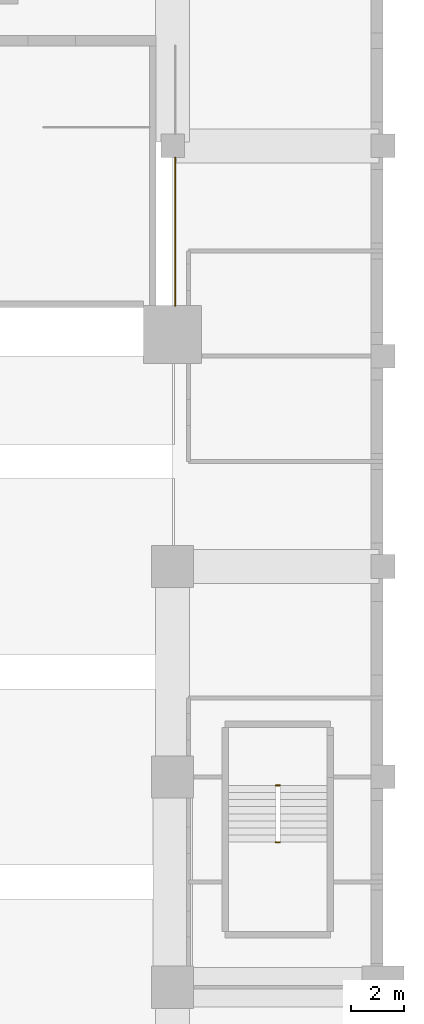
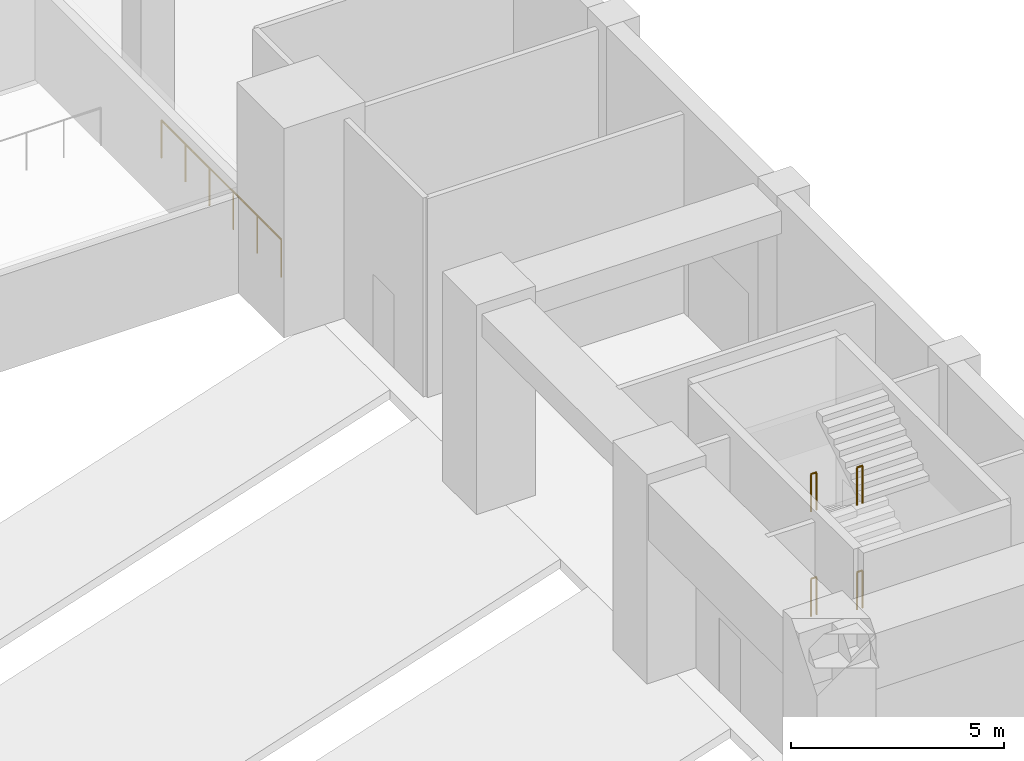
# One storey, part 20 of 28: 5 railings.
"""IFC4 building model written with IfcOpenShell, lengths in metres."""

import ifcopenshell
import ifcopenshell.guid

model = None  # the IFC model being written
_history = None  # IfcOwnerHistory: only IFC2X3 demands one
_inside = {}  # id of a spatial element -> (the spatial element, [elements in it])
_under = {}  # id of a project, library or spatial element -> (it, [spatial elements below it])
_declared = {}  # id of a project -> (the project, [libraries it declares])
_typed = {}  # id of a type object -> (the type object, [elements of that type])
_made_of = {}  # id of a material, layer set ... -> (it, [elements and type objects made of it])


def new_model(schema):
    """Start an empty IFC model of exactly this schema.

    Asked for "IFC4X3", IfcOpenShell would pick the latest addendum, in which some entities
    have other attributes; the version numbers below select the first issue.
    IFC2X3 requires an IfcOwnerHistory on every rooted entity: one is made here for all.
    """
    global model, _history
    if schema == "IFC4X3":
        model = ifcopenshell.file(schema_version=(4, 3, 0, 0))
    else:
        model = ifcopenshell.file(schema=schema)
    _inside.clear()
    _under.clear()
    _declared.clear()
    _typed.clear()
    _made_of.clear()
    _history = None
    if model.schema == "IFC2X3":
        org = make("IfcOrganization", Name="unknown")
        user = make(
            "IfcPersonAndOrganization",
            ThePerson=make("IfcPerson", FamilyName="unknown"),
            TheOrganization=org,
        )
        app = make(
            "IfcApplication",
            ApplicationDeveloper=org,
            Version="unknown",
            ApplicationFullName="unknown",
            ApplicationIdentifier="unknown",
        )
        _history = make(
            "IfcOwnerHistory",
            OwningUser=user,
            OwningApplication=app,
            ChangeAction="ADDED",
            CreationDate=0,
        )
    return model


def make(cls, **values):
    """One entity of the class cls with the attributes given. An attribute that is None is left unset."""
    return model.create_entity(
        cls, **{name: value for name, value in values.items() if value is not None}
    )


def rooted(cls, **values):
    """An entity with a GlobalId (a new one), such as an element, a storey or a relation."""
    return make(cls, GlobalId=ifcopenshell.guid.new(), OwnerHistory=_history, **values)


def si_unit(unit_type, name, prefix=None):
    """IfcSIUnit, for example si_unit("LENGTHUNIT", "METRE", prefix="MILLI")."""
    return make("IfcSIUnit", UnitType=unit_type, Prefix=prefix, Name=name)


def assignment(units):
    """IfcUnitAssignment: the units of a project."""
    return None if units is None else make("IfcUnitAssignment", Units=units)


def point(xyz):
    """IfcCartesianPoint."""
    return None if xyz is None else make("IfcCartesianPoint", Coordinates=xyz)


def direction(xyz):
    """IfcDirection."""
    return None if xyz is None else make("IfcDirection", DirectionRatios=xyz)


def frame(location, z_axis=None, x_axis=None):
    """IfcAxis2Placement3D, a coordinate frame: its origin and axes. An axis left out is left unset."""
    return make(
        "IfcAxis2Placement3D",
        Location=point(location),
        Axis=direction(z_axis),
        RefDirection=direction(x_axis),
    )


def frame_2d(location, x_axis=None):
    """IfcAxis2Placement2D, a coordinate frame in the plane: its origin and x axis."""
    return make(
        "IfcAxis2Placement2D", Location=point(location), RefDirection=direction(x_axis)
    )


def origin():
    """The frame at (0, 0, 0) with its axes left unset."""
    return frame((0.0, 0.0, 0.0))


def origin_2d():
    """The frame at (0, 0) in the plane with its x axis left unset."""
    return frame_2d((0.0, 0.0))


def place(relative_to, where):
    """IfcLocalPlacement: puts the frame where relative to a parent placement (None: the world)."""
    return make(
        "IfcLocalPlacement", PlacementRelTo=relative_to, RelativePlacement=where
    )


def context(
    kind, dimensions, precision=None, world=None, true_north=None, identifier=None
):
    """IfcGeometricRepresentationContext, for example the 3D "Model" context."""
    return make(
        "IfcGeometricRepresentationContext",
        ContextIdentifier=identifier,
        ContextType=kind,
        CoordinateSpaceDimension=dimensions,
        Precision=precision,
        WorldCoordinateSystem=world,
        TrueNorth=true_north,
    )


def subcontext(parent, identifier, kind, view, scale=None):
    """IfcGeometricRepresentationSubContext, for example "Body" below "Model"."""
    return make(
        "IfcGeometricRepresentationSubContext",
        ContextIdentifier=identifier,
        ContextType=kind,
        ParentContext=parent,
        TargetScale=scale,
        TargetView=view,
    )


def project(units=None, contexts=None):
    """IfcProject with its units and contexts."""
    return rooted(
        "IfcProject",
        Name="project",
        RepresentationContexts=contexts,
        UnitsInContext=assignment(units),
    )


def spatial(cls, under=None, at=None, **own):
    """A site, building, storey or space (cls), placed at a placement, below another one or the project."""
    s = rooted(cls, ObjectPlacement=at, **own)
    if under is not None:
        _under.setdefault(under.id(), (under, []))[1].append(s)
    return s


def profile(cls, at=None, kind="AREA", **sizes):
    """A parametric profile (cls). Its sizes go by their IFC names, for example OverallWidth=200.0."""
    return make(cls, ProfileType=kind, Position=at, **sizes)


def circle(**sizes):
    """IfcCircleProfileDef."""
    return profile("IfcCircleProfileDef", **sizes)


def extrude(swept, where, along, depth):
    """IfcExtrudedAreaSolid: the profile swept, set in the frame where, extruded along a direction by depth."""
    return make(
        "IfcExtrudedAreaSolid",
        SweptArea=swept,
        Position=where,
        ExtrudedDirection=direction(along),
        Depth=depth,
    )


def shape(context_of_items, identifier, shape_type, items):
    """IfcShapeRepresentation: the items that make up one representation, for example the "Body"."""
    return make(
        "IfcShapeRepresentation",
        ContextOfItems=context_of_items,
        RepresentationIdentifier=identifier,
        RepresentationType=shape_type,
        Items=items,
    )


def material(Name=None, Category=None):
    """IfcMaterial."""
    return make("IfcMaterial", Name=Name, Category=Category)


def made_of(thing, what):
    """Note that an element or type object is made of a material, layer set ...; save() writes the relation."""
    if what is not None:
        _made_of.setdefault(what.id(), (what, []))[1].append(thing)
    return thing


def type_object(cls, material=None, **own):
    """A type object (cls), such as IfcWallType, which elements share."""
    return made_of(rooted(cls, **own), material)


def element(
    cls,
    number,
    at=None,
    inside=None,
    cuts=None,
    type_object=None,
    material=None,
    context=None,
    identifier="Body",
    shape_type=None,
    held_by="IfcProductDefinitionShape",
    body=None,
    shapes=None,
    **own,
):
    """One element of the class cls, such as IfcWall. Its Tag is "e" and its number.

    at: its placement. inside: the storey or other place that contains it. cuts: it is an
    opening in that element (IfcRelVoidsElement). A single representation is given by context,
    identifier, shape_type and body (its items); several are given by shapes. held_by: the class
    of the entity that holds the representations. save() writes the other relations.
    """
    e = rooted(cls, Tag="e%d" % number, ObjectPlacement=at, **own)
    if body is not None:
        shapes = [shape(context, identifier, shape_type, body)]
    if shapes is not None:
        e.Representation = make(held_by, Representations=shapes)
    if inside is not None:
        _inside.setdefault(inside.id(), (inside, []))[1].append(e)
    if cuts is not None:
        rooted(
            "IfcRelVoidsElement", RelatingBuildingElement=cuts, RelatedOpeningElement=e
        )
    if type_object is not None:
        _typed.setdefault(type_object.id(), (type_object, []))[1].append(e)
    return made_of(e, material)


def aggregate(whole, parts):
    """IfcRelAggregates: a whole, such as a stair, and the parts it consists of."""
    return rooted("IfcRelAggregates", RelatingObject=whole, RelatedObjects=parts)


def save(model, path):
    """Write the relations noted so far, then the file.

    IfcRelAggregates (storeys below a building ...), IfcRelContainedInSpatialStructure (elements
    in a storey), IfcRelDefinesByType, IfcRelAssociatesMaterial and IfcRelDeclares: one each for
    every whole, place, type object, material and project.
    """
    for whole, parts in _under.values():
        aggregate(whole, parts)
    for where, things in _inside.values():
        rooted(
            "IfcRelContainedInSpatialStructure",
            RelatedElements=things,
            RelatingStructure=where,
        )
    for kind, things in _typed.values():
        rooted("IfcRelDefinesByType", RelatedObjects=things, RelatingType=kind)
    for what, things in _made_of.values():
        rooted("IfcRelAssociatesMaterial", RelatedObjects=things, RelatingMaterial=what)
    for by, libraries in _declared.values():
        rooted("IfcRelDeclares", RelatingContext=by, RelatedDefinitions=libraries)
    model.write(path)


model = new_model("IFC4")

# Units and contexts
model_context = context("Model", 3, precision=1e-05, world=origin(), true_north=direction((0.0, 1.0)))
body_context = subcontext(model_context, "Body", "Model", "MODEL_VIEW")
ifc_project = project(units=[si_unit("LENGTHUNIT", "METRE"), si_unit("AREAUNIT", "SQUARE_METRE"), si_unit("VOLUMEUNIT", "CUBIC_METRE"), si_unit("PLANEANGLEUNIT", "RADIAN"), si_unit("MASSUNIT", "GRAM", prefix="KILO")], contexts=[model_context])

# Site, building, storey
site_placement = place(None, origin())
site = spatial("IfcSite", under=ifc_project, at=site_placement, CompositionType="ELEMENT")
building_placement = place(site_placement, origin())
building = spatial("IfcBuilding", under=site, at=building_placement, Name="Isbrekke Arena Tower", CompositionType="ELEMENT")
storey_placement = place(building_placement, origin())
storey = spatial("IfcBuildingStorey", under=building, at=storey_placement, Name="L00", CompositionType="ELEMENT", Elevation=0.0)

# Railings
ifc_material_1 = material(Name="Laminated glass balustrade, steel handrail", Category="steel")
railing_type_1 = type_object("IfcRailingType", Name="GR1 GUARD 1100 GLASS BALUSTRADE", PredefinedType="BALUSTRADE", material=ifc_material_1)
railing_placement = place(storey_placement, frame((48.10009765625, -10.449951171875, 0.0)))
element("IfcRailing", 1, at=railing_placement, inside=storey, type_object=railing_type_1, Name="GR1 concourse edge guard E2 L00", PredefinedType="BALUSTRADE", context=body_context, shape_type="SweptSolid", body=[
    extrude(circle(Radius=0.02392578125, at=origin_2d()), frame((0.0, 0.0, 1.076171875), z_axis=(0.0, -1.0, 0.0), x_axis=(1.0, 0.0, 0.0)), (0.0, 0.0, 1.0), 5.625),
    extrude(circle(Radius=0.02099609375, at=origin_2d()), origin(), (0.0, 0.0, 1.0), 1.052001953125),
    extrude(circle(Radius=0.02099609375, at=origin_2d()), frame((0.0, -1.125, 0.0)), (0.0, 0.0, 1.0), 1.052001953125),
    extrude(circle(Radius=0.02099609375, at=origin_2d()), frame((0.0, -2.25, 0.0)), (0.0, 0.0, 1.0), 1.052001953125),
    extrude(circle(Radius=0.02099609375, at=origin_2d()), frame((0.0, -3.375, 0.0)), (0.0, 0.0, 1.0), 1.052001953125),
    extrude(circle(Radius=0.02099609375, at=origin_2d()), frame((0.0, -4.5, 0.0)), (0.0, 0.0, 1.0), 1.052001953125),
    extrude(circle(Radius=0.02099609375, at=origin_2d()), frame((0.0, -5.625, 0.0)), (0.0, 0.0, 1.0), 1.052001953125),
])
ifc_material_2 = material(Name="Steel stair guard, vertical bars, steel handrail", Category="steel")
railing_type_2 = type_object("IfcRailingType", Name="GR3 STAIR WELL GUARD 1100", PredefinedType="GUARDRAIL", material=ifc_material_2)
for number, where, name in (
    (2, (51.925048828125, -34.324951171875, 0.0), "GR3 stair well guard P3 L00"),
    (3, (51.925048828125, -36.485107421875, 1.5), "GR3 stair well guard P3 L00"),
    (4, (51.925048828125, -34.324951171875, 3.0), "GR3 stair well guard P3 L00"),
    (5, (51.925048828125, -36.485107421875, 4.5), "GR3 stair well guard P3 L00"),
):
    element("IfcRailing", number, at=place(storey_placement, frame(where)), inside=storey, type_object=railing_type_2, Name=name, PredefinedType="GUARDRAIL", context=body_context, shape_type="SweptSolid", body=[
        extrude(circle(Radius=0.02392578125, at=origin_2d()), frame((0.0, 0.0, 1.076171875), z_axis=(1.0, 0.0, 0.0), x_axis=(0.0, 1.0, 0.0)), (0.0, 0.0, 1.0), 0.14990234375),
        extrude(circle(Radius=0.02099609375, at=origin_2d()), origin(), (0.0, 0.0, 1.0), 1.052001953125),
        extrude(circle(Radius=0.02099609375, at=origin_2d()), frame((0.14990234375, 0.0, 0.0)), (0.0, 0.0, 1.0), 1.052001953125),
    ])

save(model, "model.ifc")
